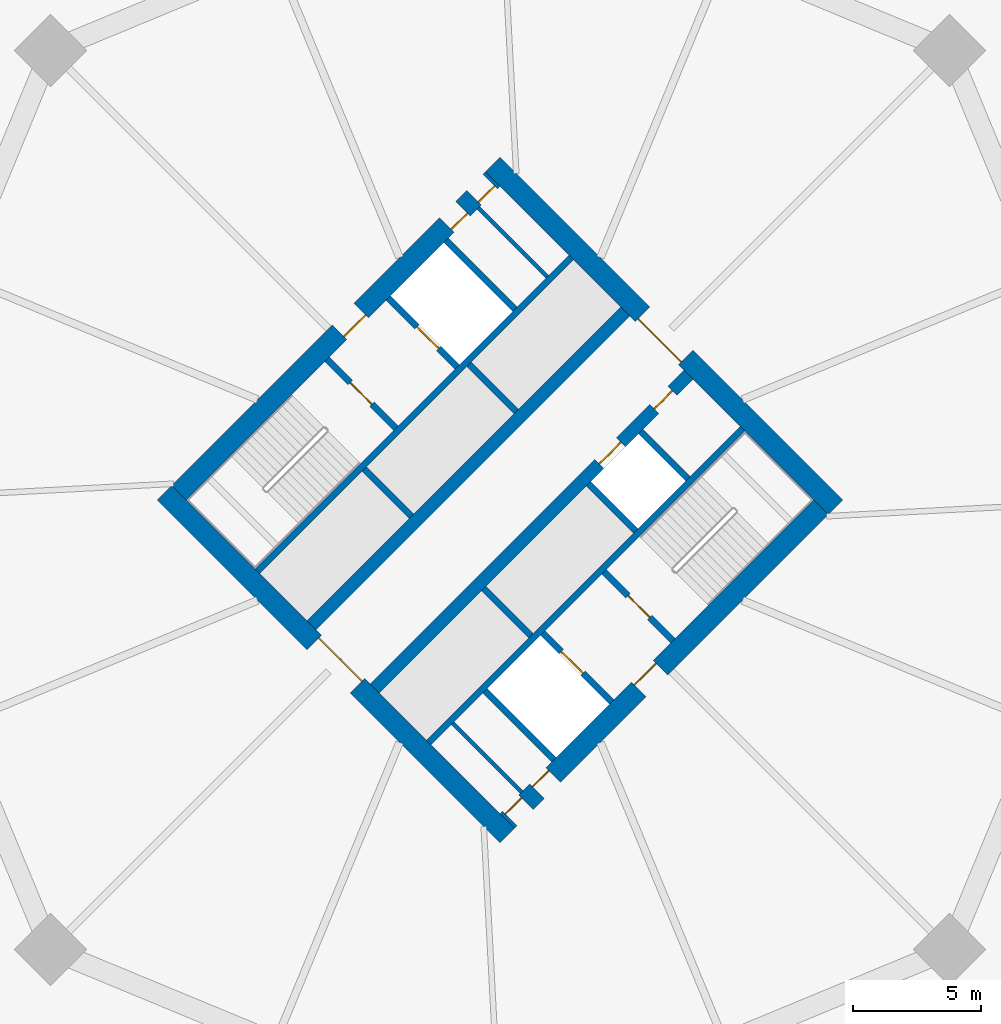
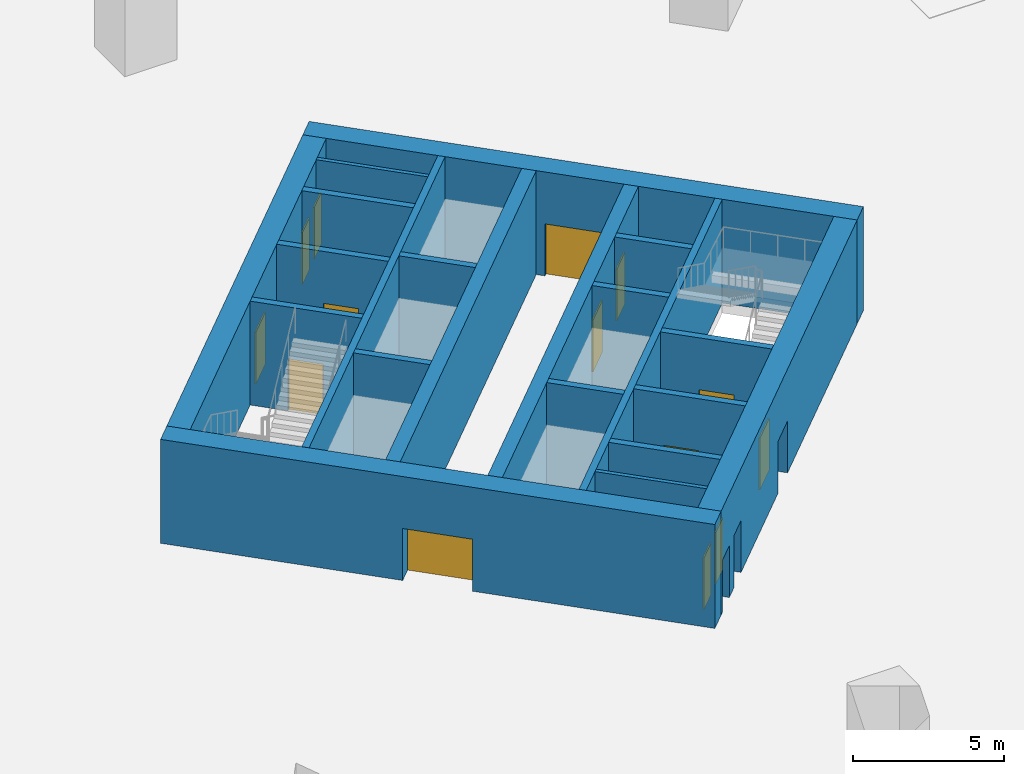
# One storey, part 14 of 34: 21 walls, 14 doors, 14 openings.
"""IFC4 building model written with IfcOpenShell, lengths in metres."""

from ifc_helpers import new_model, si_unit, direction, frame, frame_2d, origin, place, context, subcontext, project, spatial, rectangle, extrude, material, layer, layer_set, type_object, element, fill, save


model = new_model("IFC4")

# Units and contexts
model_context = context("Model", 3, precision=1e-05, world=origin(), true_north=direction((0.0, 1.0)))
body_context = subcontext(model_context, "Body", "Model", "MODEL_VIEW")
ifc_project = project(units=[si_unit("LENGTHUNIT", "METRE"), si_unit("AREAUNIT", "SQUARE_METRE"), si_unit("VOLUMEUNIT", "CUBIC_METRE"), si_unit("PLANEANGLEUNIT", "RADIAN"), si_unit("MASSUNIT", "GRAM", prefix="KILO")], contexts=[model_context])

# Site, building, storey
site_placement = place(None, origin())
site = spatial("IfcSite", under=ifc_project, at=site_placement, CompositionType="ELEMENT")
building_placement = place(site_placement, origin())
building = spatial("IfcBuilding", under=site, at=building_placement, Name="Ogive Gate Towers", CompositionType="ELEMENT")
storey_placement = place(building_placement, frame((0.0, 0.0, -4.5)))
storey = spatial("IfcBuildingStorey", under=building, at=storey_placement, Name="B1", CompositionType="ELEMENT", Elevation=-4.5)

# Wall, openings, doors
ifc_material_1 = material(Name="Concrete C60/75", Category="concrete")
ifc_layer_1 = layer(ifc_material_1, 0.800048828125)
ifc_layer_set_1 = layer_set([ifc_layer_1], Name="Core wall 800 mm")
wall_type_1 = type_object("IfcWallType", Name="Core wall 800 mm", PredefinedType="SHEAR", material=ifc_layer_set_1)
wall_1_placement = place(storey_placement, frame((36.28271484375, -12.58642578125, 0.0), z_axis=(0.0, 0.0, 1.0), x_axis=(0.707106781187, 0.707106781187, 0.0)))
wall_1 = element("IfcWall", 1, at=wall_1_placement, inside=storey, type_object=wall_type_1, Name="T2 B1 Core wall 800 mm", PredefinedType="SHEAR", context=body_context, shape_type="SweptSolid", body=[
    extrude(rectangle(XDim=17.400146484375, YDim=0.800048828125, at=frame_2d((8.7001953125, 0.0))), origin(), (0.0, 0.0, 1.0), 4.199951171875),
])
opening_1_placement = place(wall_1_placement, frame((7.300048828125, 0.0, 0.0)))
opening_1 = element("IfcOpeningElement", 2, at=opening_1_placement, cuts=wall_1, Name="Opening KD-T2-B1-10", PredefinedType="OPENING", context=body_context, shape_type="SweptSolid", body=[
    extrude(rectangle(XDim=1.199951171875, YDim=2.10009765625, at=frame_2d((0.60009765625, 1.050048828125))), frame((0.0, 0.41015625, 0.0), z_axis=(0.0, -1.0, 0.0), x_axis=(1.0, 0.0, 0.0)), (0.0, 0.0, 1.0), 0.820068359375),
])
opening_2_placement = place(wall_1_placement, frame((0.14990234375, 0.0, 0.0)))
opening_2 = element("IfcOpeningElement", 3, at=opening_2_placement, cuts=wall_1, Name="Opening KD-T2-B1-13", PredefinedType="OPENING", context=body_context, shape_type="SweptSolid", body=[
    extrude(rectangle(XDim=0.89990234375, YDim=2.10009765625, at=frame_2d((0.449951171875, 1.050048828125))), frame((0.0, 0.41015625, 0.0), z_axis=(0.0, -1.0, 0.0), x_axis=(1.0, 0.0, 0.0)), (0.0, 0.0, 1.0), 0.820068359375),
])
opening_3_placement = place(wall_1_placement, frame((1.64990234375, 0.0, 0.0)))
opening_3 = element("IfcOpeningElement", 4, at=opening_3_placement, cuts=wall_1, Name="Opening KD-T2-B1-14", PredefinedType="OPENING", context=body_context, shape_type="SweptSolid", body=[
    extrude(rectangle(XDim=0.89990234375, YDim=2.10009765625, at=frame_2d((0.449951171875, 1.050048828125))), frame((0.0, 0.41015625, 0.0), z_axis=(0.0, -1.0, 0.0), x_axis=(1.0, 0.0, 0.0)), (0.0, 0.0, 1.0), 0.820068359375),
])
ifc_material_2 = material(Name="Steel fire door", Category="steel")
door_type_1 = type_object("IfcDoorType", Name="Core door FD60S 1200 x 2100", OperationType="NOTDEFINED", PredefinedType="DOOR", material=ifc_material_2)
door_1_placement = place(opening_1_placement, origin())
door_1 = element("IfcDoor", 5, at=door_1_placement, inside=storey, type_object=door_type_1, Name="T2 B1 Fire-fighting lobby door", OperationType="SINGLE_SWING_LEFT", OverallHeight=2.10009765625, OverallWidth=1.199951171875, PredefinedType="DOOR", context=body_context, shape_type="SweptSolid", body=[
    extrude(rectangle(XDim=1.199951171875, YDim=2.10009765625, at=frame_2d((0.60009765625, 1.050048828125))), frame((0.0, 0.27490234375, 0.0), z_axis=(0.0, -1.0, 0.0), x_axis=(1.0, 0.0, 0.0)), (0.0, 0.0, 1.0), 0.050048828125),
])
fill(opening_1, door_1)
door_type_2 = type_object("IfcDoorType", Name="Core door FD60S 900 x 2100", OperationType="NOTDEFINED", PredefinedType="DOOR", material=ifc_material_2)
door_2_placement = place(opening_2_placement, origin())
door_2 = element("IfcDoor", 6, at=door_2_placement, inside=storey, type_object=door_type_2, Name="T2 B1 Core door", OperationType="SINGLE_SWING_RIGHT", OverallHeight=2.10009765625, OverallWidth=0.89990234375, PredefinedType="DOOR", context=body_context, shape_type="SweptSolid", body=[
    extrude(rectangle(XDim=0.89990234375, YDim=2.10009765625, at=frame_2d((0.449951171875, 1.050048828125))), frame((0.0, 0.27490234375, 0.0), z_axis=(0.0, -1.0, 0.0), x_axis=(1.0, 0.0, 0.0)), (0.0, 0.0, 1.0), 0.050048828125),
])
fill(opening_2, door_2)
door_3_placement = place(opening_3_placement, origin())
door_3 = element("IfcDoor", 7, at=door_3_placement, inside=storey, type_object=door_type_2, Name="T2 B1 Core door", OperationType="SINGLE_SWING_LEFT", OverallHeight=2.10009765625, OverallWidth=0.89990234375, PredefinedType="DOOR", context=body_context, shape_type="SweptSolid", body=[
    extrude(rectangle(XDim=0.89990234375, YDim=2.10009765625, at=frame_2d((0.449951171875, 1.050048828125))), frame((0.0, 0.27490234375, 0.0), z_axis=(0.0, -1.0, 0.0), x_axis=(1.0, 0.0, 0.0)), (0.0, 0.0, 1.0), 0.050048828125),
])
fill(opening_3, door_3)

wall_2_placement = place(storey_placement, frame((23.41357421875, 0.28271484375, 0.0), z_axis=(0.0, 0.0, 1.0), x_axis=(0.707106781187, 0.707106781187, 0.0)))
wall_2 = element("IfcWall", 8, at=wall_2_placement, inside=storey, type_object=wall_type_1, Name="T2 B1 Core wall 800 mm", PredefinedType="SHEAR", context=body_context, shape_type="SweptSolid", body=[
    extrude(rectangle(XDim=17.400146484375, YDim=0.800048828125, at=frame_2d((8.7001953125, 0.0))), origin(), (0.0, 0.0, 1.0), 4.199951171875),
])
opening_4_placement = place(wall_2_placement, frame((8.89990234375, 0.0, 0.0)))
opening_4 = element("IfcOpeningElement", 9, at=opening_4_placement, cuts=wall_2, Name="Opening KD-T2-B1-09", PredefinedType="OPENING", context=body_context, shape_type="SweptSolid", body=[
    extrude(rectangle(XDim=1.199951171875, YDim=2.10009765625, at=frame_2d((0.60009765625, 1.050048828125))), frame((0.0, 0.41015625, 0.0), z_axis=(0.0, -1.0, 0.0), x_axis=(1.0, 0.0, 0.0)), (0.0, 0.0, 1.0), 0.820068359375),
])
opening_5_placement = place(wall_2_placement, frame((14.85009765625, 0.0, 0.0)))
opening_5 = element("IfcOpeningElement", 10, at=opening_5_placement, cuts=wall_2, Name="Opening KD-T2-B1-11", PredefinedType="OPENING", context=body_context, shape_type="SweptSolid", body=[
    extrude(rectangle(XDim=0.89990234375, YDim=2.10009765625, at=frame_2d((0.449951171875, 1.050048828125))), frame((0.0, 0.41015625, 0.0), z_axis=(0.0, -1.0, 0.0), x_axis=(1.0, 0.0, 0.0)), (0.0, 0.0, 1.0), 0.820068359375),
])
opening_6_placement = place(wall_2_placement, frame((16.35009765625, 0.0, 0.0)))
opening_6 = element("IfcOpeningElement", 11, at=opening_6_placement, cuts=wall_2, Name="Opening KD-T2-B1-12", PredefinedType="OPENING", context=body_context, shape_type="SweptSolid", body=[
    extrude(rectangle(XDim=0.89990234375, YDim=2.10009765625, at=frame_2d((0.449951171875, 1.050048828125))), frame((0.0, 0.41015625, 0.0), z_axis=(0.0, -1.0, 0.0), x_axis=(1.0, 0.0, 0.0)), (0.0, 0.0, 1.0), 0.820068359375),
])
door_4_placement = place(opening_4_placement, origin())
door_4 = element("IfcDoor", 12, at=door_4_placement, inside=storey, type_object=door_type_1, Name="T2 B1 Fire-fighting lobby door", OperationType="SINGLE_SWING_RIGHT", OverallHeight=2.10009765625, OverallWidth=1.199951171875, PredefinedType="DOOR", context=body_context, shape_type="SweptSolid", body=[
    extrude(rectangle(XDim=1.199951171875, YDim=2.10009765625, at=frame_2d((0.60009765625, 1.050048828125))), frame((0.0, -0.22509765625, 0.0), z_axis=(0.0, -1.0, 0.0), x_axis=(1.0, 0.0, 0.0)), (0.0, 0.0, 1.0), 0.050048828125),
])
fill(opening_4, door_4)
door_5_placement = place(opening_5_placement, origin())
door_5 = element("IfcDoor", 13, at=door_5_placement, inside=storey, type_object=door_type_2, Name="T2 B1 Core door", OperationType="SINGLE_SWING_RIGHT", OverallHeight=2.10009765625, OverallWidth=0.89990234375, PredefinedType="DOOR", context=body_context, shape_type="SweptSolid", body=[
    extrude(rectangle(XDim=0.89990234375, YDim=2.10009765625, at=frame_2d((0.449951171875, 1.050048828125))), frame((0.0, -0.22509765625, 0.0), z_axis=(0.0, -1.0, 0.0), x_axis=(1.0, 0.0, 0.0)), (0.0, 0.0, 1.0), 0.050048828125),
])
fill(opening_5, door_5)
door_6_placement = place(opening_6_placement, origin())
door_6 = element("IfcDoor", 14, at=door_6_placement, inside=storey, type_object=door_type_2, Name="T2 B1 Core door", OperationType="SINGLE_SWING_LEFT", OverallHeight=2.10009765625, OverallWidth=0.89990234375, PredefinedType="DOOR", context=body_context, shape_type="SweptSolid", body=[
    extrude(rectangle(XDim=0.89990234375, YDim=2.10009765625, at=frame_2d((0.449951171875, 1.050048828125))), frame((0.0, -0.22509765625, 0.0), z_axis=(0.0, -1.0, 0.0), x_axis=(1.0, 0.0, 0.0)), (0.0, 0.0, 1.0), 0.050048828125),
])
fill(opening_6, door_6)

# Wall, opening, door
wall_3_placement = place(storey_placement, frame((36.28271484375, -13.152099609375, 0.0), z_axis=(0.0, 0.0, 1.0), x_axis=(-0.707106781187, 0.707106781187, 0.0)))
wall_3 = element("IfcWall", 15, at=wall_3_placement, inside=storey, type_object=wall_type_1, Name="T2 B1 Core wall 800 mm", PredefinedType="SHEAR", context=body_context, shape_type="SweptSolid", body=[
    extrude(rectangle(XDim=18.999755859375, YDim=0.800048828125, at=frame_2d((9.5, 0.0))), origin(), (0.0, 0.0, 1.0), 4.199951171875),
])
opening_7_placement = place(wall_3_placement, frame((8.300048828125, 0.0, 0.0)))
opening_7 = element("IfcOpeningElement", 16, at=opening_7_placement, cuts=wall_3, Name="Opening KD-T2-B1-01", PredefinedType="OPENING", context=body_context, shape_type="SweptSolid", body=[
    extrude(rectangle(XDim=2.39990234375, YDim=2.10009765625, at=frame_2d((1.199951171875, 1.050048828125))), frame((0.0, 0.41015625, 0.0), z_axis=(0.0, -1.0, 0.0), x_axis=(1.0, 0.0, 0.0)), (0.0, 0.0, 1.0), 0.820068359375),
])
door_type_3 = type_object("IfcDoorType", Name="Core double door FD60S 2400 x 2100", OperationType="DOUBLE_DOOR_SINGLE_SWING", PredefinedType="DOOR", material=ifc_material_2)
door_7_placement = place(opening_7_placement, origin())
door_7 = element("IfcDoor", 17, at=door_7_placement, inside=storey, type_object=door_type_3, Name="T2 B1 Core door double", OperationType="DOUBLE_DOOR_SINGLE_SWING", OverallHeight=2.10009765625, OverallWidth=2.39990234375, PredefinedType="DOOR", context=body_context, shape_type="SweptSolid", body=[
    extrude(rectangle(XDim=2.39990234375, YDim=2.10009765625, at=frame_2d((1.199951171875, 1.050048828125))), frame((0.0, -0.22509765625, 0.0), z_axis=(0.0, -1.0, 0.0), x_axis=(1.0, 0.0, 0.0)), (0.0, 0.0, 1.0), 0.050048828125),
])
fill(opening_7, door_7)

wall_4_placement = place(storey_placement, frame((49.152099609375, -0.28271484375, 0.0), z_axis=(0.0, 0.0, 1.0), x_axis=(-0.707106781187, 0.707106781187, 0.0)))
wall_4 = element("IfcWall", 18, at=wall_4_placement, inside=storey, type_object=wall_type_1, Name="T2 B1 Core wall 800 mm", PredefinedType="SHEAR", context=body_context, shape_type="SweptSolid", body=[
    extrude(rectangle(XDim=18.999755859375, YDim=0.800048828125, at=frame_2d((9.5, 0.0))), origin(), (0.0, 0.0, 1.0), 4.199951171875),
])
opening_8_placement = place(wall_4_placement, frame((8.300048828125, 0.0, 0.0)))
opening_8 = element("IfcOpeningElement", 19, at=opening_8_placement, cuts=wall_4, Name="Opening KD-T2-B1-02", PredefinedType="OPENING", context=body_context, shape_type="SweptSolid", body=[
    extrude(rectangle(XDim=2.39990234375, YDim=2.10009765625, at=frame_2d((1.199951171875, 1.050048828125))), frame((0.0, 0.41015625, 0.0), z_axis=(0.0, -1.0, 0.0), x_axis=(1.0, 0.0, 0.0)), (0.0, 0.0, 1.0), 0.820068359375),
])
door_8_placement = place(opening_8_placement, origin())
door_8 = element("IfcDoor", 20, at=door_8_placement, inside=storey, type_object=door_type_3, Name="T2 B1 Core door double", OperationType="DOUBLE_DOOR_SINGLE_SWING", OverallHeight=2.10009765625, OverallWidth=2.39990234375, PredefinedType="DOOR", context=body_context, shape_type="SweptSolid", body=[
    extrude(rectangle(XDim=2.39990234375, YDim=2.10009765625, at=frame_2d((1.199951171875, 1.050048828125))), frame((0.0, 0.27490234375, 0.0), z_axis=(0.0, -1.0, 0.0), x_axis=(1.0, 0.0, 0.0)), (0.0, 0.0, 1.0), 0.050048828125),
])
fill(opening_8, door_8)

# Walls
ifc_material_3 = material(Name="Gypsum board partition")
ifc_layer_2 = layer(ifc_material_3, 0.14990234375)
ifc_layer_set_2 = layer_set([ifc_layer_2], Name="Room partition 150 mm")
wall_type_2 = type_object("IfcWallType", Name="Room partition 150 mm", PredefinedType="PARTITIONING", material=ifc_layer_set_2)
for number, where, z_axis, x_axis, name in (
    (21, (36.848388671875, -11.455078125, 0.0), (0.0, 0.0, 1.0), (-0.707106781187, 0.707106781187, 0.0), "T2 B1 Room partition 150 mm"),
    (22, (37.856201171875, 8.75048828125, 0.0), (0.0, 0.0, 1.0), (-0.707106781187, 0.707106781187, 0.0), "T2 B1 Room partition 150 mm"),
):
    element("IfcWall", number, at=place(storey_placement, frame(where, z_axis=z_axis, x_axis=x_axis)), inside=storey, type_object=wall_type_2, Name=name, PredefinedType="PARTITIONING", context=body_context, shape_type="SweptSolid", body=[
        extrude(rectangle(XDim=3.824951171875, YDim=0.14990234375, at=frame_2d((1.91259765625, 0.0))), origin(), (0.0, 0.0, 1.0), 4.199951171875),
    ])
ifc_layer_3 = layer(ifc_material_1, 0.25)
ifc_layer_set_3 = layer_set([ifc_layer_3], Name="Shaft wall 250 mm")
wall_type_3 = type_object("IfcWallType", Name="Shaft wall 250 mm", PredefinedType="SHEAR", material=ifc_layer_set_3)
for number, where, z_axis, x_axis, name in (
    (23, (33.206787109375, -9.510498046875, 0.0), (0.0, 0.0, 1.0), (0.707106781187, 0.707106781187, 0.0), "T2 B1 Shaft wall 250 mm"),
    (24, (26.489501953125, -2.793212890625, 0.0), (0.0, 0.0, 1.0), (0.707106781187, 0.707106781187, 0.0), "T2 B1 Shaft wall 250 mm"),
):
    element("IfcWall", number, at=place(storey_placement, frame(where, z_axis=z_axis, x_axis=x_axis)), inside=storey, type_object=wall_type_3, Name=name, PredefinedType="SHEAR", context=body_context, shape_type="SweptSolid", body=[
        extrude(rectangle(XDim=17.400146484375, YDim=0.25, at=frame_2d((8.7001953125, 0.0))), origin(), (0.0, 0.0, 1.0), 4.199951171875),
    ])
wall_5_placement = place(storey_placement, frame((38.121337890625, -10.182373046875, 0.0), z_axis=(0.0, 0.0, 1.0), x_axis=(-0.707138693938, 0.707074866995, 0.0)))
element("IfcWall", 25, at=wall_5_placement, inside=storey, type_object=wall_type_3, Name="T2 B1 Shaft wall 250 mm", PredefinedType="SHEAR", context=body_context, shape_type="SweptSolid", body=[
    extrude(rectangle(XDim=3.824951171875, YDim=0.25, at=frame_2d((1.91259765625, 0.0))), origin(), (0.0, 0.0, 1.0), 4.199951171875),
])
for number, where, z_axis, x_axis, name in (
    (26, (37.2197265625, -5.321044921875, 0.0), (0.0, 0.0, 1.0), (-0.707106781187, 0.707106781187, 0.0), "T2 B1 Shaft wall 250 mm"),
    (27, (32.53515625, -0.636474609375, 0.0), (0.0, 0.0, 1.0), (-0.707106781187, 0.707106781187, 0.0), "T2 B1 Shaft wall 250 mm"),
):
    element("IfcWall", number, at=place(storey_placement, frame(where, z_axis=z_axis, x_axis=x_axis)), inside=storey, type_object=wall_type_3, Name=name, PredefinedType="SHEAR", context=body_context, shape_type="SweptSolid", body=[
        extrude(rectangle(XDim=2.625, YDim=0.25, at=frame_2d((1.3125, 0.0))), origin(), (0.0, 0.0, 1.0), 4.199951171875),
    ])

# Wall, opening, door
wall_6_placement = place(storey_placement, frame((40.384033203125, -7.919677734375, 0.0), z_axis=(0.0, 0.0, 1.0), x_axis=(-0.707074866995, 0.707138693938, 0.0)))
wall_6 = element("IfcWall", 28, at=wall_6_placement, inside=storey, type_object=wall_type_3, Name="T2 B1 Shaft wall 250 mm", PredefinedType="SHEAR", context=body_context, shape_type="SweptSolid", body=[
    extrude(rectangle(XDim=3.824951171875, YDim=0.25, at=frame_2d((1.91259765625, 0.0))), origin(), (0.0, 0.0, 1.0), 4.199951171875),
])
opening_9_placement = place(wall_6_placement, frame((1.60009765625, 0.0, 0.0)))
opening_9 = element("IfcOpeningElement", 29, at=opening_9_placement, cuts=wall_6, Name="Opening LD-T2-B1-05", PredefinedType="OPENING", context=body_context, shape_type="SweptSolid", body=[
    extrude(rectangle(XDim=1.199951171875, YDim=2.10009765625, at=frame_2d((0.60009765625, 1.050048828125))), frame((0.0, 0.135009765625, 0.0), z_axis=(0.0, -1.0, 0.0), x_axis=(1.0, 0.0, 0.0)), (0.0, 0.0, 1.0), 0.27001953125),
])
ifc_material_4 = material(Name="Stainless steel landing door", Category="steel")
door_type_4 = type_object("IfcDoorType", Name="Landing door 1200 x 2100", OperationType="SLIDING_TO_LEFT", PredefinedType="DOOR", material=ifc_material_4)
door_9_placement = place(opening_9_placement, origin())
door_9 = element("IfcDoor", 30, at=door_9_placement, inside=storey, type_object=door_type_4, Name="T2 B1 Lift landing door FF2", OperationType="SLIDING_TO_LEFT", OverallHeight=2.10009765625, OverallWidth=1.199951171875, PredefinedType="DOOR", context=body_context, shape_type="SweptSolid", body=[
    extrude(rectangle(XDim=1.199951171875, YDim=2.10009765625, at=frame_2d((0.60009765625, 1.050048828125))), frame((0.0, 0.02490234375, 0.0), z_axis=(0.0, -1.0, 0.0), x_axis=(1.0, 0.0, 0.0)), (0.0, 0.0, 1.0), 0.050048828125),
])
fill(opening_9, door_9)

wall_7_placement = place(storey_placement, frame((31.91650390625, 2.810791015625, 0.0), z_axis=(0.0, 0.0, 1.0), x_axis=(-0.707106781187, 0.707106781187, 0.0)))
wall_7 = element("IfcWall", 31, at=wall_7_placement, inside=storey, type_object=wall_type_3, Name="T2 B1 Shaft wall 250 mm", PredefinedType="SHEAR", context=body_context, shape_type="SweptSolid", body=[
    extrude(rectangle(XDim=3.824951171875, YDim=0.25, at=frame_2d((1.91259765625, 0.0))), origin(), (0.0, 0.0, 1.0), 4.199951171875),
])
opening_10_placement = place(wall_7_placement, frame((1.324951171875, 0.0, 0.0)))
opening_10 = element("IfcOpeningElement", 32, at=opening_10_placement, cuts=wall_7, Name="Opening KD-T2-B1-07", PredefinedType="OPENING", context=body_context, shape_type="SweptSolid", body=[
    extrude(rectangle(XDim=1.199951171875, YDim=2.10009765625, at=frame_2d((0.60009765625, 1.050048828125))), frame((0.0, 0.135009765625, 0.0), z_axis=(0.0, -1.0, 0.0), x_axis=(1.0, 0.0, 0.0)), (0.0, 0.0, 1.0), 0.27001953125),
])
door_10_placement = place(opening_10_placement, origin())
door_10 = element("IfcDoor", 33, at=door_10_placement, inside=storey, type_object=door_type_1, Name="T2 B1 Stair door", OperationType="SINGLE_SWING_RIGHT", OverallHeight=2.10009765625, OverallWidth=1.199951171875, PredefinedType="DOOR", context=body_context, shape_type="SweptSolid", body=[
    extrude(rectangle(XDim=1.199951171875, YDim=2.10009765625, at=frame_2d((0.60009765625, 1.050048828125))), frame((0.0, 0.02490234375, 0.0), z_axis=(0.0, -1.0, 0.0), x_axis=(1.0, 0.0, 0.0)), (0.0, 0.0, 1.0), 0.050048828125),
])
fill(opening_10, door_10)

wall_8_placement = place(storey_placement, frame((42.7880859375, -5.515380859375, 0.0), z_axis=(0.0, 0.0, 1.0), x_axis=(-0.707106781187, 0.707106781187, 0.0)))
wall_8 = element("IfcWall", 34, at=wall_8_placement, inside=storey, type_object=wall_type_3, Name="T2 B1 Shaft wall 250 mm", PredefinedType="SHEAR", context=body_context, shape_type="SweptSolid", body=[
    extrude(rectangle(XDim=3.824951171875, YDim=0.25, at=frame_2d((1.91259765625, 0.0))), origin(), (0.0, 0.0, 1.0), 4.199951171875),
])
opening_11_placement = place(wall_8_placement, frame((1.300048828125, 0.0, 0.0)))
opening_11 = element("IfcOpeningElement", 35, at=opening_11_placement, cuts=wall_8, Name="Opening KD-T2-B1-08", PredefinedType="OPENING", context=body_context, shape_type="SweptSolid", body=[
    extrude(rectangle(XDim=1.199951171875, YDim=2.10009765625, at=frame_2d((0.60009765625, 1.050048828125))), frame((0.0, 0.135009765625, 0.0), z_axis=(0.0, -1.0, 0.0), x_axis=(1.0, 0.0, 0.0)), (0.0, 0.0, 1.0), 0.27001953125),
])
door_11_placement = place(opening_11_placement, origin())
door_11 = element("IfcDoor", 36, at=door_11_placement, inside=storey, type_object=door_type_1, Name="T2 B1 Stair door", OperationType="SINGLE_SWING_LEFT", OverallHeight=2.10009765625, OverallWidth=1.199951171875, PredefinedType="DOOR", context=body_context, shape_type="SweptSolid", body=[
    extrude(rectangle(XDim=1.199951171875, YDim=2.10009765625, at=frame_2d((0.60009765625, 1.050048828125))), frame((0.0, 0.02490234375, 0.0), z_axis=(0.0, -1.0, 0.0), x_axis=(1.0, 0.0, 0.0)), (0.0, 0.0, 1.0), 0.050048828125),
])
fill(opening_11, door_11)

wall_9_placement = place(storey_placement, frame((34.320556640625, 5.21484375, 0.0), z_axis=(0.0, 0.0, 1.0), x_axis=(-0.707074866995, 0.707138693938, 0.0)))
wall_9 = element("IfcWall", 37, at=wall_9_placement, inside=storey, type_object=wall_type_3, Name="T2 B1 Shaft wall 250 mm", PredefinedType="SHEAR", context=body_context, shape_type="SweptSolid", body=[
    extrude(rectangle(XDim=3.824951171875, YDim=0.25, at=frame_2d((1.91259765625, 0.0))), origin(), (0.0, 0.0, 1.0), 4.199951171875),
])
opening_12_placement = place(wall_9_placement, frame((1.02490234375, 0.0, 0.0)))
opening_12 = element("IfcOpeningElement", 38, at=opening_12_placement, cuts=wall_9, Name="Opening LD-T2-B1-04", PredefinedType="OPENING", context=body_context, shape_type="SweptSolid", body=[
    extrude(rectangle(XDim=1.199951171875, YDim=2.10009765625, at=frame_2d((0.60009765625, 1.050048828125))), frame((0.0, 0.135009765625, 0.0), z_axis=(0.0, -1.0, 0.0), x_axis=(1.0, 0.0, 0.0)), (0.0, 0.0, 1.0), 0.27001953125),
])
door_12_placement = place(opening_12_placement, origin())
door_12 = element("IfcDoor", 39, at=door_12_placement, inside=storey, type_object=door_type_4, Name="T2 B1 Lift landing door FF1", OperationType="SLIDING_TO_LEFT", OverallHeight=2.10009765625, OverallWidth=1.199951171875, PredefinedType="DOOR", context=body_context, shape_type="SweptSolid", body=[
    extrude(rectangle(XDim=1.199951171875, YDim=2.10009765625, at=frame_2d((0.60009765625, 1.050048828125))), frame((0.0, 0.02490234375, 0.0), z_axis=(0.0, -1.0, 0.0), x_axis=(1.0, 0.0, 0.0)), (0.0, 0.0, 1.0), 0.050048828125),
])
fill(opening_12, door_12)

# Walls
for number, where, z_axis, x_axis, name in (
    (40, (41.321044921875, -1.2197265625, 0.0), (0.0, 0.0, 1.0), (-0.707106781187, 0.707106781187, 0.0), "T2 B1 Shaft wall 250 mm"),
    (41, (36.636474609375, 3.46484375, 0.0), (0.0, 0.0, 1.0), (-0.707106781187, 0.707106781187, 0.0), "T2 B1 Shaft wall 250 mm"),
):
    element("IfcWall", number, at=place(storey_placement, frame(where, z_axis=z_axis, x_axis=x_axis)), inside=storey, type_object=wall_type_3, Name=name, PredefinedType="SHEAR", context=body_context, shape_type="SweptSolid", body=[
        extrude(rectangle(XDim=2.625, YDim=0.25, at=frame_2d((1.3125, 0.0))), origin(), (0.0, 0.0, 1.0), 4.199951171875),
    ])
wall_10_placement = place(storey_placement, frame((36.58349609375, 7.477783203125, 0.0), z_axis=(0.0, 0.0, 1.0), x_axis=(-0.707138693938, 0.707074866995, 0.0)))
element("IfcWall", 42, at=wall_10_placement, inside=storey, type_object=wall_type_3, Name="T2 B1 Shaft wall 250 mm", PredefinedType="SHEAR", context=body_context, shape_type="SweptSolid", body=[
    extrude(rectangle(XDim=3.824951171875, YDim=0.25, at=frame_2d((1.91259765625, 0.0))), origin(), (0.0, 0.0, 1.0), 4.199951171875),
])
wall_11_placement = place(storey_placement, frame((43.37158203125, 0.830810546875, 0.0), z_axis=(0.0, 0.0, 1.0), x_axis=(-0.707106781187, 0.707106781187, 0.0)))
element("IfcWall", 43, at=wall_11_placement, inside=storey, type_object=wall_type_3, Name="T2 B1 Shaft wall 250 mm", PredefinedType="SHEAR", context=body_context, shape_type="SweptSolid", body=[
    extrude(rectangle(XDim=2.625, YDim=0.25, at=frame_2d((1.3125, 0.0))), origin(), (0.0, 0.0, 1.0), 4.199951171875),
])

# Wall, openings, doors
ifc_layer_4 = layer(ifc_material_1, 0.5)
ifc_layer_set_4 = layer_set([ifc_layer_4], Name="Spine wall 500 mm")
wall_type_4 = type_object("IfcWallType", Name="Spine wall 500 mm", PredefinedType="SHEAR", material=ifc_layer_set_4)
wall_12_placement = place(storey_placement, frame((31.085693359375, -7.389404296875, 0.0), z_axis=(0.0, 0.0, 1.0), x_axis=(0.707106781187, 0.707106781187, 0.0)))
wall_12 = element("IfcWall", 44, at=wall_12_placement, inside=storey, type_object=wall_type_4, Name="T2 B1 Spine wall 500 mm", PredefinedType="SHEAR", context=body_context, shape_type="SweptSolid", body=[
    extrude(rectangle(XDim=17.400146484375, YDim=0.5, at=frame_2d((8.7001953125, 0.0))), origin(), (0.0, 0.0, 1.0), 4.199951171875),
])
opening_13_placement = place(wall_12_placement, frame((12.449951171875, 0.0, 0.0)))
opening_13 = element("IfcOpeningElement", 45, at=opening_13_placement, cuts=wall_12, Name="Opening LD-T2-B1-03", PredefinedType="OPENING", context=body_context, shape_type="SweptSolid", body=[
    extrude(rectangle(XDim=1.199951171875, YDim=2.10009765625, at=frame_2d((0.60009765625, 1.050048828125))), frame((0.0, 0.260009765625, 0.0), z_axis=(0.0, -1.0, 0.0), x_axis=(1.0, 0.0, 0.0)), (0.0, 0.0, 1.0), 0.52001953125),
])
opening_14_placement = place(wall_12_placement, frame((15.5, 0.0, 0.0)))
opening_14 = element("IfcOpeningElement", 46, at=opening_14_placement, cuts=wall_12, Name="Opening KD-T2-B1-06", PredefinedType="OPENING", context=body_context, shape_type="SweptSolid", body=[
    extrude(rectangle(XDim=1.0, YDim=2.10009765625, at=frame_2d((0.5, 1.050048828125))), frame((0.0, 0.260009765625, 0.0), z_axis=(0.0, -1.0, 0.0), x_axis=(1.0, 0.0, 0.0)), (0.0, 0.0, 1.0), 0.52001953125),
])
door_type_5 = type_object("IfcDoorType", Name="Core door FD60S 1000 x 2100", OperationType="NOTDEFINED", PredefinedType="DOOR", material=ifc_material_2)
door_13_placement = place(opening_14_placement, origin())
door_13 = element("IfcDoor", 47, at=door_13_placement, inside=storey, type_object=door_type_5, Name="T2 B1 Core door", OperationType="SINGLE_SWING_LEFT", OverallHeight=2.10009765625, OverallWidth=1.0, PredefinedType="DOOR", context=body_context, shape_type="SweptSolid", body=[
    extrude(rectangle(XDim=1.0, YDim=2.10009765625, at=frame_2d((0.5, 1.050048828125))), frame((0.0, 0.02490234375, 0.0), z_axis=(0.0, -1.0, 0.0), x_axis=(1.0, 0.0, 0.0)), (0.0, 0.0, 1.0), 0.050048828125),
])
fill(opening_14, door_13)
door_14_placement = place(opening_13_placement, origin())
door_14 = element("IfcDoor", 48, at=door_14_placement, inside=storey, type_object=door_type_4, Name="T2 B1 Lift landing door SVC", OperationType="SLIDING_TO_LEFT", OverallHeight=2.10009765625, OverallWidth=1.199951171875, PredefinedType="DOOR", context=body_context, shape_type="SweptSolid", body=[
    extrude(rectangle(XDim=1.199951171875, YDim=2.10009765625, at=frame_2d((0.60009765625, 1.050048828125))), frame((0.0, 0.02490234375, 0.0), z_axis=(0.0, -1.0, 0.0), x_axis=(1.0, 0.0, 0.0)), (0.0, 0.0, 1.0), 0.050048828125),
])
fill(opening_13, door_14)

# Wall
wall_13_placement = place(storey_placement, frame((28.610595703125, -4.914306640625, 0.0), z_axis=(0.0, 0.0, 1.0), x_axis=(0.707106781187, 0.707106781187, 0.0)))
element("IfcWall", 49, at=wall_13_placement, inside=storey, type_object=wall_type_4, Name="T2 B1 Spine wall 500 mm", PredefinedType="SHEAR", context=body_context, shape_type="SweptSolid", body=[
    extrude(rectangle(XDim=17.400146484375, YDim=0.5, at=frame_2d((8.7001953125, 0.0))), origin(), (0.0, 0.0, 1.0), 4.199951171875),
])

save(model, "model.ifc")
